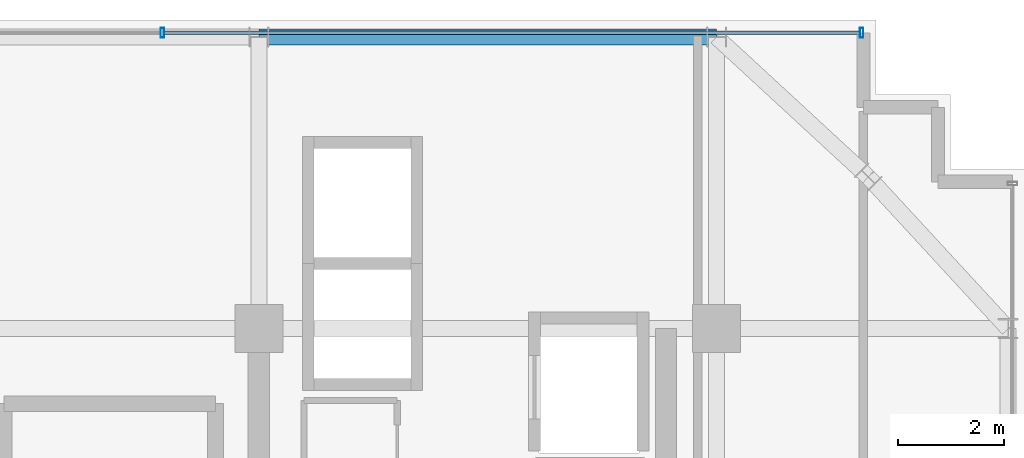
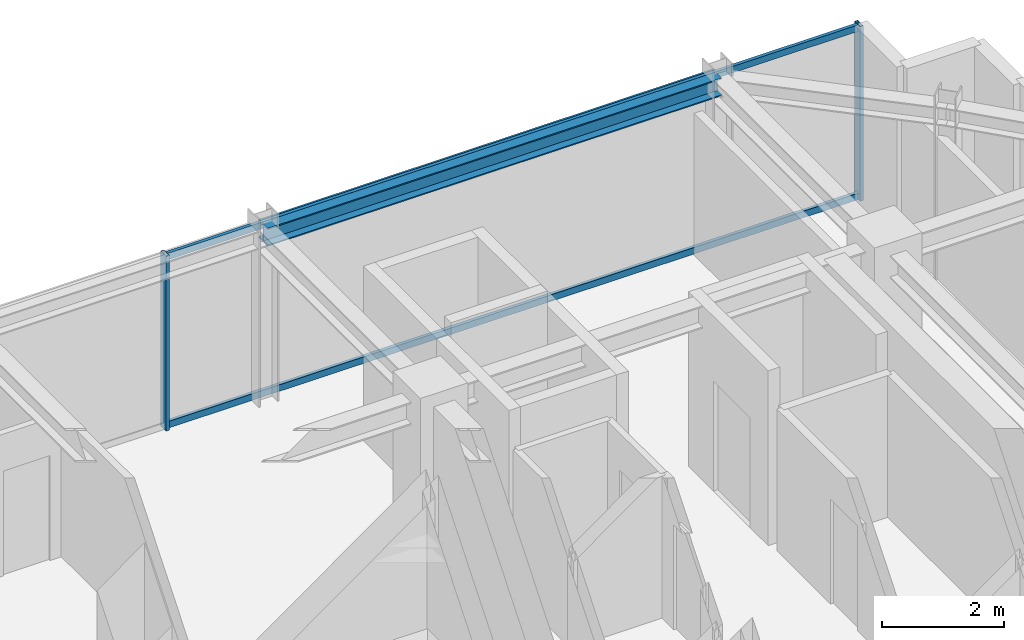
# One storey, part 23 of 31: 4 members, 1 beam, 1 element without a shape of its own.
"""IFC4 building model written with IfcOpenShell, lengths in metres."""

from ifc_helpers import new_model, si_unit, direction, frame, origin, origin_2d, place, context, subcontext, project, spatial, hollow_rectangle, i_section, extrude, source, transform, mapped, material, material_profile, profile_set, type_object, element, aggregate, save


model = new_model("IFC4")

# Units and contexts
model_context = context("Model", 3, precision=1e-05, world=origin(), true_north=direction((0.0, 1.0)))
body_context = subcontext(model_context, "Body", "Model", "MODEL_VIEW")
ifc_project = project(units=[si_unit("LENGTHUNIT", "METRE"), si_unit("AREAUNIT", "SQUARE_METRE"), si_unit("VOLUMEUNIT", "CUBIC_METRE"), si_unit("PLANEANGLEUNIT", "RADIAN"), si_unit("MASSUNIT", "GRAM", prefix="KILO")], contexts=[model_context])

# Site, building, storey
site_placement = place(None, origin())
site = spatial("IfcSite", under=ifc_project, at=site_placement, CompositionType="ELEMENT")
building_placement = place(site_placement, origin())
building = spatial("IfcBuilding", under=site, at=building_placement, Name="Nahalor Promenade Grand Hotel", CompositionType="ELEMENT")
storey_placement = place(building_placement, frame((0.0, 0.0, 323.35009765625)))
storey = spatial("IfcBuildingStorey", under=building, at=storey_placement, Name="L83", CompositionType="ELEMENT", Elevation=323.35009765625)

# Beam
ifc_material_1 = material(Name="Steel S355JR", Category="steel")
ifc_material_profile_1 = material_profile(ifc_material_1, i_section(OverallWidth=0.3, OverallDepth=0.36, WebThickness=0.0125, FlangeThickness=0.0225, at=origin_2d()), Name="HEB 360")
ifc_profile_set_1 = profile_set([ifc_material_profile_1], Name="Steel S355JR")
beam_type = type_object("IfcBeamType", Name="Beam-Spandrel-HEB360", PredefinedType="SPANDREL", material=ifc_profile_set_1)
shared_shape_1 = source(origin(), body_context, "Body", "SweptSolid", [
    extrude(i_section(OverallWidth=0.3, OverallDepth=0.36, WebThickness=0.0125, FlangeThickness=0.0225, at=origin_2d()), origin(), (0.0, 0.0, 1.0), 8.60009765625),
])
beam_placement = place(storey_placement, frame((8.39990234375, 22.47998046875, 3.31982421875), z_axis=(1.0, 0.0, 0.0), x_axis=(0.0, 1.0, 0.0)))
element("IfcBeam", 1, at=beam_placement, inside=storey, type_object=beam_type, Name="BM-L83-SP-N-4", PredefinedType="SPANDREL", context=body_context, shape_type="MappedRepresentation", body=[
    mapped(shared_shape_1, transform((0.0, 0.0, 0.0), scale=1.0)),
])

# Curtain wall, members
ifc_material_2 = material(Name="Anodised Bronze Aluminium EN AW-6063 T6", Category="aluminium")
curtain_wall_type = type_object("IfcCurtainWallType", Name="CW2 Typical Hotel Flush Bronze Unitised Curtain Wall", PredefinedType="USERDEFINED", material=ifc_material_2)
curtain_wall_placement = place(storey_placement, origin())
curtain_wall = element("IfcCurtainWall", 2, at=curtain_wall_placement, inside=storey, type_object=curtain_wall_type, Name="L83 Curtain Wall CW-L83-N-1", ObjectType="UNITISED_CURTAIN_WALL", PredefinedType="USERDEFINED")
ifc_material_profile_2 = material_profile(ifc_material_2, hollow_rectangle(XDim=0.065, YDim=0.13, WallThickness=0.004, at=origin_2d()), Name="CWT 65x130x4")
ifc_profile_set_2 = profile_set([ifc_material_profile_2], Name="Anodised Bronze Aluminium EN AW-6063 T6")
member_type_1 = type_object("IfcMemberType", Name="CWT2 Typical Bronze Transom 65x130", PredefinedType="USERDEFINED", material=ifc_profile_set_2)
shared_shape_2 = source(origin(), body_context, "Body", "SweptSolid", [
    extrude(hollow_rectangle(XDim=0.065, YDim=0.13, WallThickness=0.004, at=origin_2d()), origin(), (0.0, 0.0, 1.0), 13.075927734375),
])
member_1_placement = place(storey_placement, frame((6.619140625, 22.56005859375, 0.06494140625), z_axis=(1.0, 0.0, 0.0), x_axis=(0.0, 1.0, 0.0)))
member_1 = element("IfcMember", 3, at=member_1_placement, type_object=member_type_1, Name="CW-L83-N-1 Transom 2-0", ObjectType="TRANSOM", PredefinedType="USERDEFINED", context=body_context, shape_type="MappedRepresentation", body=[
    mapped(shared_shape_2, transform((0.0, 0.0, 0.0), scale=1.0)),
])
member_2_placement = place(storey_placement, frame((6.619140625, 22.56005859375, 3.434814453125), z_axis=(1.0, 0.0, 0.0), x_axis=(0.0, 1.0, 0.0)))
member_2 = element("IfcMember", 4, at=member_2_placement, type_object=member_type_1, Name="CW-L83-N-1 Transom 2-1", ObjectType="TRANSOM", PredefinedType="USERDEFINED", context=body_context, shape_type="MappedRepresentation", body=[
    mapped(shared_shape_2, transform((0.0, 0.0, 0.0), scale=1.0)),
])
ifc_material_profile_3 = material_profile(ifc_material_2, hollow_rectangle(XDim=0.065, YDim=0.18, WallThickness=0.004, at=origin_2d()), Name="CWM 65x180x4")
ifc_profile_set_3 = profile_set([ifc_material_profile_3], Name="Anodised Bronze Aluminium EN AW-6063 T6")
member_type_2 = type_object("IfcMemberType", Name="CWM2 Typical Bronze Mullion 65x180", PredefinedType="MULLION", material=ifc_profile_set_3)
shared_shape_3 = source(origin(), body_context, "Body", "SweptSolid", [
    extrude(hollow_rectangle(XDim=0.065, YDim=0.18, WallThickness=0.004, at=origin_2d()), origin(), (0.0, 0.0, 1.0), 3.5),
])
member_3_placement = place(storey_placement, frame((6.586669921875, 22.56005859375, 0.0), z_axis=(0.0, 0.0, 1.0), x_axis=(1.0, 0.0, 0.0)))
member_3 = element("IfcMember", 5, at=member_3_placement, type_object=member_type_2, Name="CW-L83-N-1 Mullion 2", PredefinedType="MULLION", context=body_context, shape_type="MappedRepresentation", body=[
    mapped(shared_shape_3, transform((0.0, 0.0, 0.0), scale=1.0)),
])
member_4_placement = place(storey_placement, frame((19.7275390625, 22.56005859375, 0.0), z_axis=(0.0, 0.0, 1.0), x_axis=(1.0, 0.0, 0.0)))
member_4 = element("IfcMember", 6, at=member_4_placement, type_object=member_type_2, Name="CW-L83-N-1 Mullion 3", PredefinedType="MULLION", context=body_context, shape_type="MappedRepresentation", body=[
    mapped(shared_shape_3, transform((0.0, 0.0, 0.0), scale=1.0)),
])
aggregate(curtain_wall, [member_3, member_4, member_1, member_2])

save(model, "model.ifc")
